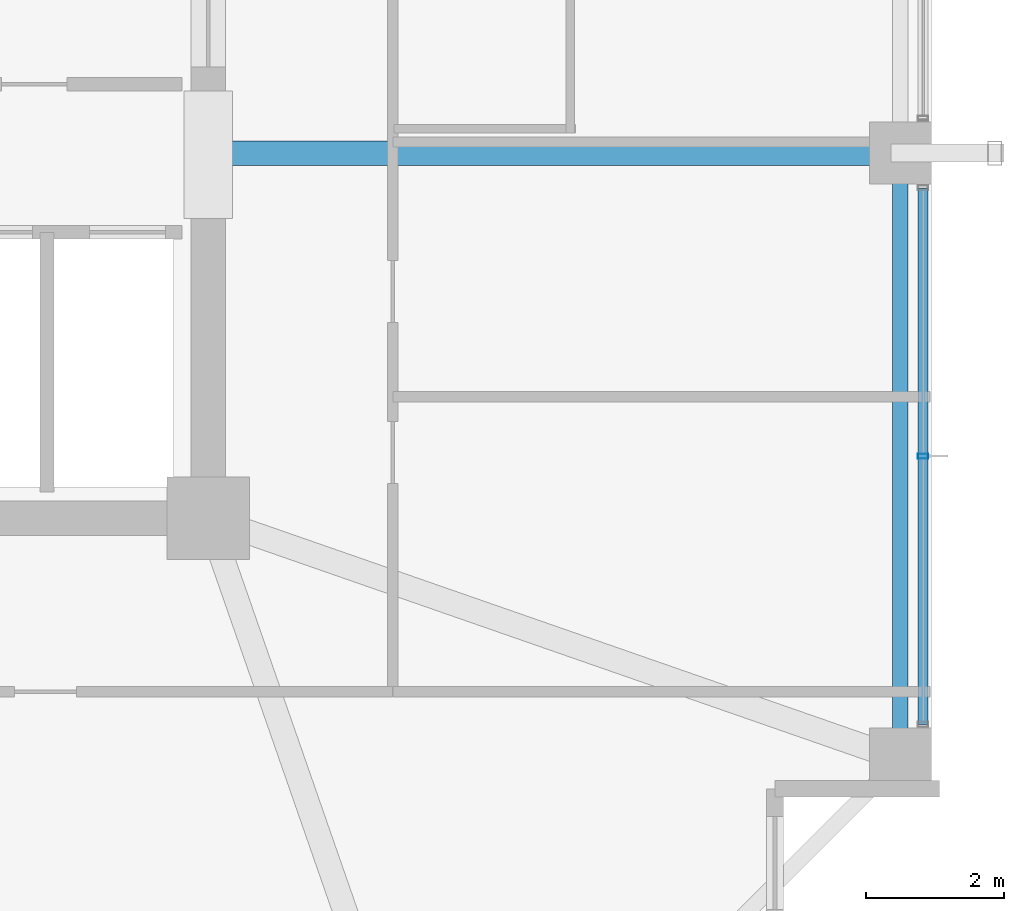
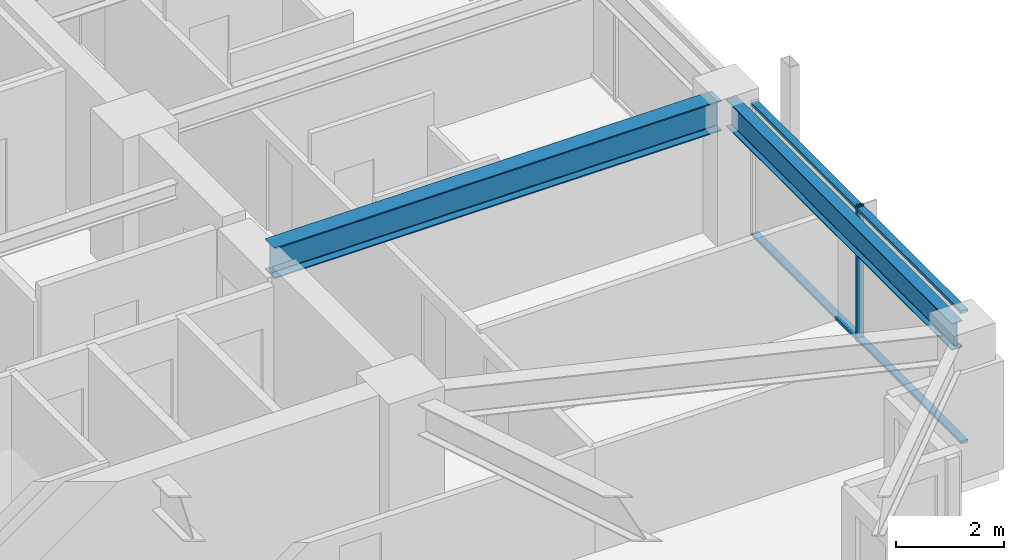
# One storey, part 13 of 37: 3 members, 2 beams, 1 element without a shape of its own.
"""IFC4 building model written with IfcOpenShell, lengths in metres."""

from ifc_helpers import new_model, si_unit, direction, frame, origin, origin_2d, place, context, subcontext, project, spatial, hollow_rectangle, i_section, extrude, material, material_profile, profile_set, type_object, element, aggregate, save


model = new_model("IFC4")

# Units and contexts
model_context = context("Model", 3, precision=1e-05, world=origin(), true_north=direction((0.0, 1.0)))
body_context = subcontext(model_context, "Body", "Model", "MODEL_VIEW")
ifc_project = project(units=[si_unit("LENGTHUNIT", "METRE"), si_unit("AREAUNIT", "SQUARE_METRE"), si_unit("VOLUMEUNIT", "CUBIC_METRE"), si_unit("PLANEANGLEUNIT", "RADIAN"), si_unit("MASSUNIT", "GRAM", prefix="KILO")], contexts=[model_context])

# Site, building, storey
site_placement = place(None, origin())
site = spatial("IfcSite", under=ifc_project, at=site_placement, CompositionType="ELEMENT")
building_placement = place(site_placement, origin())
building = spatial("IfcBuilding", under=site, at=building_placement, Name="Kolvaren Belvedere", CompositionType="ELEMENT")
storey_placement = place(building_placement, frame((0.0, 0.0, 180.0)))
storey = spatial("IfcBuildingStorey", under=building, at=storey_placement, Name="L52", CompositionType="ELEMENT", Elevation=180.0)

# Beams
ifc_material_1 = material(Name="Structural steel ASTM A992 Grade 50", Category="steel")
ifc_material_profile_1 = material_profile(ifc_material_1, i_section(OverallWidth=0.35498046875, OverallDepth=0.696044921875, WebThickness=0.015380859375, FlangeThickness=0.02490234375, FilletRadius=0.02197265625, at=origin_2d()), Name="W27X146")
ifc_profile_set_1 = profile_set([ifc_material_profile_1], Name="Structural steel ASTM A992 Grade 50")
beam_type_1 = type_object("IfcBeamType", Name="BM-GIRD-W27X146", PredefinedType="BEAM", material=ifc_profile_set_1)
beam_1_placement = place(storey_placement, frame((10.14990234375, -4.60009765625, 2.73193359375), z_axis=(1.0, 0.0, 0.0), x_axis=(0.0, 1.0, 0.0)))
element("IfcBeam", 1, at=beam_1_placement, inside=storey, type_object=beam_type_1, Name="L52 East Radial Girder M", PredefinedType="BEAM", context=body_context, shape_type="SweptSolid", body=[
    extrude(i_section(OverallWidth=0.35498046875, OverallDepth=0.696044921875, WebThickness=0.015380859375, FlangeThickness=0.02490234375, FilletRadius=0.02197265625, at=origin_2d()), origin(), (0.0, 0.0, 1.0), 9.59765625),
])
ifc_material_2 = material(Name="Structural steel ASTM A992 Grade 50", Category="steel")
ifc_material_profile_2 = material_profile(ifc_material_2, i_section(OverallWidth=0.22900390625, OverallDepth=0.612060546875, WebThickness=0.011962890625, FlangeThickness=0.01953125, FilletRadius=0.01806640625, at=origin_2d()), Name="W24X84")
ifc_profile_set_2 = profile_set([ifc_material_profile_2], Name="Structural steel ASTM A992 Grade 50")
beam_type_2 = type_object("IfcBeamType", Name="BM-SPAN-W24X84", PredefinedType="SPANDREL", material=ifc_profile_set_2)
beam_2_placement = place(storey_placement, frame((19.949951171875, -13.197509765625, 2.77392578125), z_axis=(0.0, 1.0, 0.0), x_axis=(-1.0, 0.0, 0.0)))
element("IfcBeam", 2, at=beam_2_placement, inside=storey, type_object=beam_type_2, Name="L52 Perimeter Spandrel E1-E2", PredefinedType="SPANDREL", context=body_context, shape_type="SweptSolid", body=[
    extrude(i_section(OverallWidth=0.22900390625, OverallDepth=0.612060546875, WebThickness=0.011962890625, FlangeThickness=0.01953125, FilletRadius=0.01806640625, at=origin_2d()), origin(), (0.0, 0.0, 1.0), 8.39501953125),
])

# Curtain wall, members
ifc_material_3 = material(Name="Anodised pale-metal aluminium AA 6063-T6", Category="aluminium")
curtain_wall_type = type_object("IfcCurtainWallType", Name="CW-Z5-HIGH", PredefinedType="NOTDEFINED", material=ifc_material_3)
curtain_wall_placement = place(storey_placement, origin())
curtain_wall = element("IfcCurtainWall", 3, at=curtain_wall_placement, inside=storey, type_object=curtain_wall_type, Name="L52 Unitised Curtain Wall FCW-L52-E-B3", PredefinedType="NOTDEFINED")
ifc_material_4 = material(Name="Anodised pale-metal aluminium AA 6063-T6", Category="aluminium")
ifc_material_profile_3 = material_profile(ifc_material_4, hollow_rectangle(XDim=0.070068359375, YDim=0.14990234375, WallThickness=0.004150390625, at=origin_2d()), Name="ALU-MUL-150X70")
ifc_profile_set_3 = profile_set([ifc_material_profile_3], Name="Anodised pale-metal aluminium AA 6063-T6")
member_type_1 = type_object("IfcMemberType", Name="CW-MUL-150", PredefinedType="MULLION", material=ifc_profile_set_3)
member_1_placement = place(storey_placement, frame((20.280029296875, -9.0, 0.0), z_axis=(0.0, 0.0, 1.0), x_axis=(0.0, 1.0, 0.0)))
member_1 = element("IfcMember", 4, at=member_1_placement, type_object=member_type_1, Name="FCW-L52-E-B3 Unitised Mullion 2", PredefinedType="MULLION", context=body_context, shape_type="SweptSolid", body=[
    extrude(hollow_rectangle(XDim=0.070068359375, YDim=0.14990234375, WallThickness=0.004150390625, at=origin_2d()), origin(), (0.0, 0.0, 1.0), 3.080078125),
])
ifc_material_5 = material(Name="Anodised pale-metal aluminium AA 6063-T6", Category="aluminium")
ifc_material_profile_4 = material_profile(ifc_material_5, hollow_rectangle(XDim=0.06494140625, YDim=0.14990234375, WallThickness=0.00390625, at=origin_2d()), Name="ALU-TRN-150X65")
ifc_profile_set_4 = profile_set([ifc_material_profile_4], Name="Anodised pale-metal aluminium AA 6063-T6")
member_type_2 = type_object("IfcMemberType", Name="CW-TRN-150", PredefinedType="USERDEFINED", material=ifc_profile_set_4)
member_2_placement = place(storey_placement, frame((20.280029296875, -5.10498046875, 0.06005859375), z_axis=(0.0, -1.0, 0.0), x_axis=(0.0, 0.0, 1.0)))
member_2 = element("IfcMember", 5, at=member_2_placement, type_object=member_type_2, Name="FCW-L52-E-B3 Sill Transom", ObjectType="TRANSOM", PredefinedType="USERDEFINED", context=body_context, shape_type="SweptSolid", body=[
    extrude(hollow_rectangle(XDim=0.06494140625, YDim=0.14990234375, WallThickness=0.00390625, at=origin_2d()), origin(), (0.0, 0.0, 1.0), 7.7900390625),
])
member_3_placement = place(storey_placement, frame((20.280029296875, -5.10498046875, 3.02001953125), z_axis=(0.0, -1.0, 0.0), x_axis=(0.0, 0.0, 1.0)))
member_3 = element("IfcMember", 6, at=member_3_placement, type_object=member_type_2, Name="FCW-L52-E-B3 Head Transom", ObjectType="TRANSOM", PredefinedType="USERDEFINED", context=body_context, shape_type="SweptSolid", body=[
    extrude(hollow_rectangle(XDim=0.06494140625, YDim=0.14990234375, WallThickness=0.00390625, at=origin_2d()), origin(), (0.0, 0.0, 1.0), 7.7900390625),
])
aggregate(curtain_wall, [member_1, member_2, member_3])

save(model, "model.ifc")
